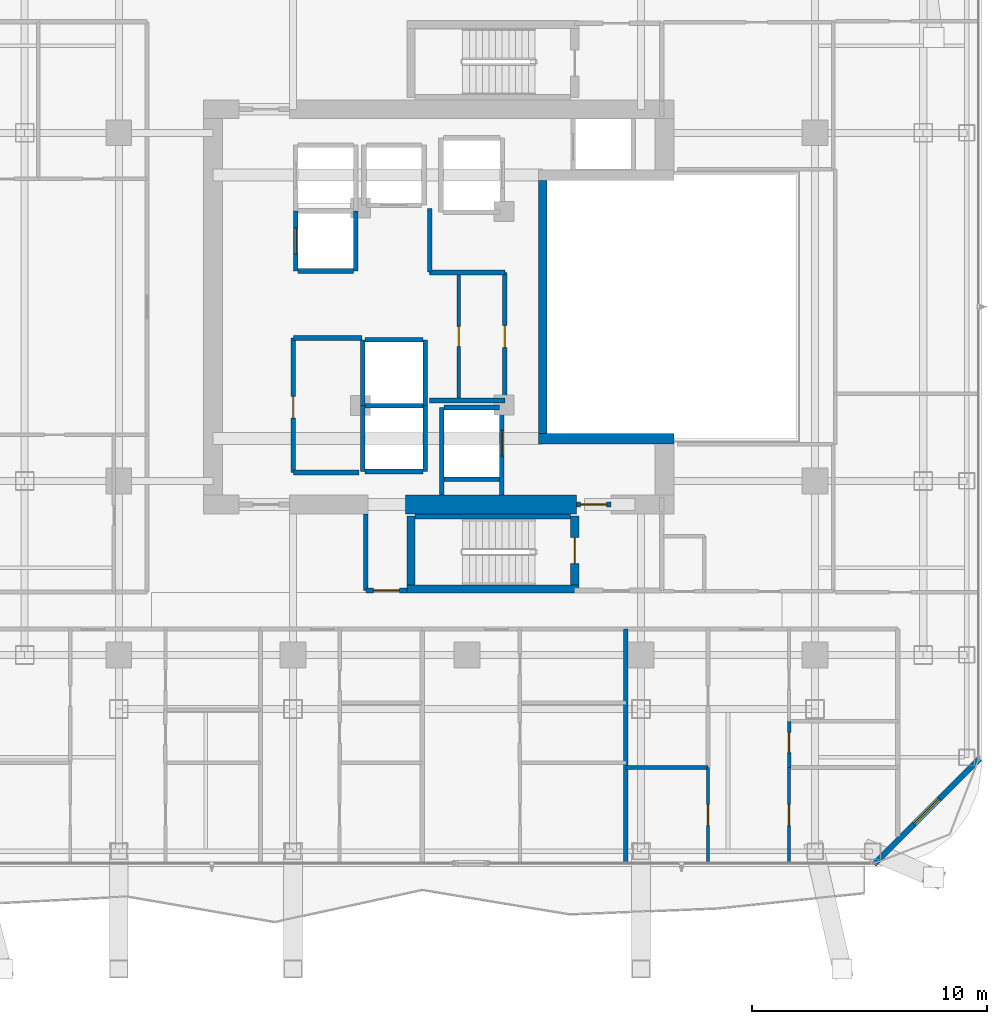
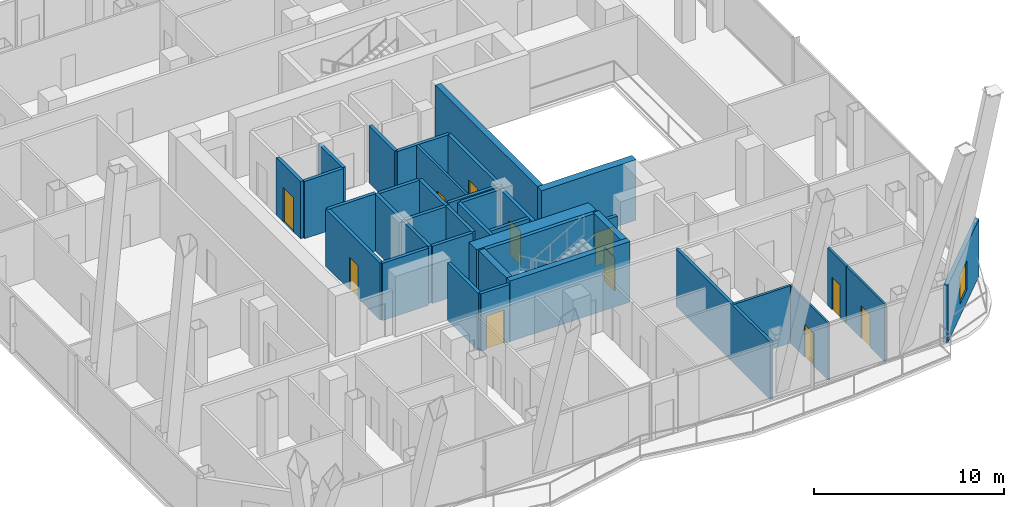
# One storey, part 24 of 34: 38 walls, 11 doors, 1 window, 12 openings.
"""IFC4 building model written with IfcOpenShell, lengths in metres."""

from ifc_helpers import new_model, si_unit, direction, frame, frame_2d, origin, place, context, subcontext, project, spatial, rectangle, extrude, material, layer, layer_set, type_object, element, fill, save


model = new_model("IFC4")

# Units and contexts
model_context = context("Model", 3, precision=1e-05, world=origin(), true_north=direction((0.0, 1.0)))
body_context = subcontext(model_context, "Body", "Model", "MODEL_VIEW")
ifc_project = project(units=[si_unit("LENGTHUNIT", "METRE"), si_unit("AREAUNIT", "SQUARE_METRE"), si_unit("VOLUMEUNIT", "CUBIC_METRE"), si_unit("PLANEANGLEUNIT", "RADIAN"), si_unit("MASSUNIT", "GRAM", prefix="KILO")], contexts=[model_context])

# Site, building, storey
site_placement = place(None, origin())
site = spatial("IfcSite", under=ifc_project, at=site_placement, CompositionType="ELEMENT")
building_placement = place(site_placement, origin())
building = spatial("IfcBuilding", under=site, at=building_placement, Name="Khorvyn Point Tower", CompositionType="ELEMENT")
storey_placement = place(building_placement, frame((0.0, 0.0, 175.800048828125)))
storey = spatial("IfcBuildingStorey", under=building, at=storey_placement, Name="L43", CompositionType="ELEMENT", Elevation=175.800048828125)

# Wall
ifc_material_1 = material(Name="Double acoustic gypsum on twin steel stud", Category="steel")
ifc_layer_1 = layer(ifc_material_1, 0.179931640625)
ifc_layer_set_1 = layer_set([ifc_layer_1], Name="Acoustic Double-Stud Apartment Demising Wall 180")
wall_type_1 = type_object("IfcWallType", Name="Acoustic Double-Stud Apartment Demising Wall 180", PredefinedType="PARTITIONING", material=ifc_layer_set_1)
wall_1_placement = place(storey_placement, frame((6.75390625, -23.6298828125, 0.0), z_axis=(0.0, 0.0, 1.0), x_axis=(0.0, 1.0, 0.0)))
element("IfcWall", 1, at=wall_1_placement, inside=storey, type_object=wall_type_1, Name="Wall", PredefinedType="PARTITIONING", context=body_context, shape_type="SweptSolid", body=[
    extrude(rectangle(XDim=9.929931640625, YDim=0.179931640625, at=frame_2d((4.96484375, 0.0))), origin(), (0.0, 0.0, 1.0), 3.679931640625),
])

# Wall, opening, window
ifc_material_2 = material(Name="Pale anodised aluminium rainscreen on steel stud", Category="steel")
ifc_layer_2 = layer(ifc_material_2, 0.239990234375)
ifc_layer_set_2 = layer_set([ifc_layer_2], Name="Anodised Aluminium Insulated Corner Spandrel Wall 240")
wall_type_2 = type_object("IfcWallType", Name="Anodised Aluminium Insulated Corner Spandrel Wall 240", PredefinedType="SOLIDWALL", material=ifc_layer_set_2)
wall_2_placement = place(storey_placement, frame((21.79248046875, -19.20751953125, 0.0), z_axis=(0.0, 0.0, 1.0), x_axis=(-0.707106781187, -0.707106781187, 0.0)))
wall_2 = element("IfcWall", 2, at=wall_2_placement, inside=storey, type_object=wall_type_2, Name="L43 Rounded Corner Wall SE", PredefinedType="SOLIDWALL", context=body_context, shape_type="SweptSolid", body=[
    extrude(rectangle(XDim=6.342529296875, YDim=0.239990234375, at=frame_2d((3.17138671875, 0.0))), origin(), (0.0, 0.0, 1.0), 3.679931640625),
])
opening_1_placement = place(wall_2_placement, frame((2.42138671875, 0.0, 0.800048828125)))
opening_1 = element("IfcOpeningElement", 3, at=opening_1_placement, cuts=wall_2, Name="Opening WN-1518", PredefinedType="OPENING", context=body_context, shape_type="SweptSolid", body=[
    extrude(rectangle(XDim=1.5, YDim=1.85009765625, at=frame_2d((0.75, 0.925048828125))), frame((0.0, 0.1298828125, 0.0), z_axis=(0.0, -1.0, 0.0), x_axis=(1.0, 0.0, 0.0)), (0.0, 0.0, 1.0), 0.260009765625),
])
ifc_material_3 = material(Name="Anodised aluminium 6063-T6 and laminated Low-E glass", Category="aluminium")
window_type = type_object("IfcWindowType", Name="Anodised Aluminium Rounded-Corner Panoramic Window 1500x1850", PartitioningType="SINGLE_PANEL", PredefinedType="WINDOW", material=ifc_material_3)
window_placement = place(opening_1_placement, origin())
window = element("IfcWindow", 4, at=window_placement, inside=storey, type_object=window_type, Name="L43 Corner Panoramic Window SE", OverallHeight=1.85009765625, OverallWidth=1.5, PartitioningType="SINGLE_PANEL", PredefinedType="WINDOW", context=body_context, shape_type="SweptSolid", body=[
    extrude(rectangle(XDim=1.5, YDim=1.85009765625, at=frame_2d((0.75, 0.925048828125))), frame((0.0, 0.030029296875, 0.0), z_axis=(0.0, -1.0, 0.0), x_axis=(1.0, 0.0, 0.0)), (0.0, 0.0, 1.0), 0.06005859375),
])
fill(opening_1, window)

# Wall
ifc_material_4 = material(Name="Concrete C40/50", Category="concrete")
ifc_layer_3 = layer(ifc_material_4, 0.449951171875)
ifc_layer_set_3 = layer_set([ifc_layer_3], Name="Concrete C40/50 Core Shear Wall 450")
wall_type_3 = type_object("IfcWallType", Name="Concrete C40/50 Core Shear Wall 450", PredefinedType="SHEAR", material=ifc_layer_set_3)
wall_3_placement = place(storey_placement, frame((3.044921875, -5.60009765625, 0.0), z_axis=(0.0, 0.0, 1.0), x_axis=(1.0, 0.0, 0.0)))
element("IfcWall", 5, at=wall_3_placement, inside=storey, type_object=wall_type_3, Name="Wall", PredefinedType="SHEAR", context=body_context, shape_type="SweptSolid", body=[
    extrude(rectangle(XDim=5.755126953125, YDim=0.449951171875, at=frame_2d((2.87744140625, 0.0))), origin(), (0.0, 0.0, 1.0), 3.89990234375),
])

# Wall, opening, door
ifc_layer_4 = layer(ifc_material_4, 0.199951171875)
ifc_layer_set_4 = layer_set([ifc_layer_4], Name="Concrete C40/50 Fire-Lobby Compartment Wall 200")
wall_type_4 = type_object("IfcWallType", Name="Concrete C40/50 Fire-Lobby Compartment Wall 200", PredefinedType="SOLIDWALL", material=ifc_layer_set_4)
wall_4_placement = place(storey_placement, frame((4.64990234375, -8.39990234375, 0.0), z_axis=(0.0, 0.0, 1.0), x_axis=(1.0, 0.0, 0.0)))
wall_4 = element("IfcWall", 6, at=wall_4_placement, inside=storey, type_object=wall_type_4, Name="Wall", PredefinedType="SOLIDWALL", context=body_context, shape_type="SweptSolid", body=[
    extrude(rectangle(XDim=1.47021484375, YDim=0.199951171875, at=frame_2d((0.735107421875, 0.0))), origin(), (0.0, 0.0, 1.0), 2.820068359375),
])
opening_2_placement = place(wall_4_placement, frame((0.18505859375, 0.0, 0.0)))
opening_2 = element("IfcOpeningElement", 7, at=opening_2_placement, cuts=wall_4, Name="Opening ID-FL90", PredefinedType="OPENING", context=body_context, shape_type="SweptSolid", body=[
    extrude(rectangle(XDim=1.10009765625, YDim=2.14990234375, at=frame_2d((0.550048828125, 1.074951171875))), frame((0.0, 0.10986328125, 0.0), z_axis=(0.0, -1.0, 0.0), x_axis=(1.0, 0.0, 0.0)), (0.0, 0.0, 1.0), 0.219970703125),
])
ifc_material_5 = material(Name="Galvanised powder-coated steel", Category="steel")
door_type_1 = type_object("IfcDoorType", Name="Fire-Rated Steel Lobby and Stair Door 1100x2150", OperationType="NOTDEFINED", PredefinedType="DOOR", material=ifc_material_5)
door_1_placement = place(opening_2_placement, origin())
door_1 = element("IfcDoor", 8, at=door_1_placement, inside=storey, type_object=door_type_1, Name="Door", OperationType="SINGLE_SWING_RIGHT", OverallHeight=2.14990234375, OverallWidth=1.10009765625, PredefinedType="DOOR", context=body_context, shape_type="SweptSolid", body=[
    extrude(rectangle(XDim=1.10009765625, YDim=2.14990234375, at=frame_2d((0.550048828125, 1.074951171875))), frame((0.0, 0.02490234375, 0.0), z_axis=(0.0, -1.0, 0.0), x_axis=(1.0, 0.0, 0.0)), (0.0, 0.0, 1.0), 0.050048828125),
])
fill(opening_2, door_1)

wall_5_placement = place(storey_placement, frame((-4.300048828125, -12.06005859375, 0.0), z_axis=(0.0, 0.0, 1.0), x_axis=(1.0, 0.0, 0.0)))
wall_5 = element("IfcWall", 9, at=wall_5_placement, inside=storey, type_object=wall_type_4, Name="Wall", PredefinedType="SOLIDWALL", context=body_context, shape_type="SweptSolid", body=[
    extrude(rectangle(XDim=1.75, YDim=0.199951171875, at=frame_2d((0.875, 0.0))), origin(), (0.0, 0.0, 1.0), 3.679931640625),
])
opening_3_placement = place(wall_5_placement, frame((0.324951171875, 0.0, 0.0)))
opening_3 = element("IfcOpeningElement", 10, at=opening_3_placement, cuts=wall_5, Name="Opening ID-FL90", PredefinedType="OPENING", context=body_context, shape_type="SweptSolid", body=[
    extrude(rectangle(XDim=1.10009765625, YDim=2.14990234375, at=frame_2d((0.550048828125, 1.074951171875))), frame((0.0, 0.10986328125, 0.0), z_axis=(0.0, -1.0, 0.0), x_axis=(1.0, 0.0, 0.0)), (0.0, 0.0, 1.0), 0.219970703125),
])
door_2_placement = place(opening_3_placement, origin())
door_2 = element("IfcDoor", 11, at=door_2_placement, inside=storey, type_object=door_type_1, Name="Door", OperationType="SINGLE_SWING_RIGHT", OverallHeight=2.14990234375, OverallWidth=1.10009765625, PredefinedType="DOOR", context=body_context, shape_type="SweptSolid", body=[
    extrude(rectangle(XDim=1.10009765625, YDim=2.14990234375, at=frame_2d((0.550048828125, 1.074951171875))), frame((0.0, 0.02490234375, 0.0), z_axis=(0.0, -1.0, 0.0), x_axis=(1.0, 0.0, 0.0)), (0.0, 0.0, 1.0), 0.050048828125),
])
fill(opening_3, door_2)

wall_6_placement = place(storey_placement, frame((1.610107421875, -3.97998046875, 0.0), z_axis=(0.0, 0.0, 1.0), x_axis=(0.0, 1.0, 0.0)))
wall_6 = element("IfcWall", 12, at=wall_6_placement, inside=storey, type_object=wall_type_4, Name="Wall", PredefinedType="SOLIDWALL", context=body_context, shape_type="SweptSolid", body=[
    extrude(rectangle(XDim=5.43994140625, YDim=0.199951171875, at=frame_2d((2.719970703125, 0.0))), origin(), (0.0, 0.0, 1.0), 3.679931640625),
])
opening_4_placement = place(wall_6_placement, frame((2.260009765625, 0.0, 0.0)))
opening_4 = element("IfcOpeningElement", 13, at=opening_4_placement, cuts=wall_6, Name="Opening ID-RS60", PredefinedType="OPENING", context=body_context, shape_type="SweptSolid", body=[
    extrude(rectangle(XDim=0.919921875, YDim=2.10009765625, at=frame_2d((0.4599609375, 1.050048828125))), frame((0.0, 0.10986328125, 0.0), z_axis=(0.0, -1.0, 0.0), x_axis=(1.0, 0.0, 0.0)), (0.0, 0.0, 1.0), 0.219970703125),
])
door_type_2 = type_object("IfcDoorType", Name="Fire-Rated Riser and Store Steel Door 920x2100", OperationType="NOTDEFINED", PredefinedType="DOOR", material=ifc_material_5)
door_3_placement = place(opening_4_placement, origin())
door_3 = element("IfcDoor", 14, at=door_3_placement, inside=storey, type_object=door_type_2, Name="Door", OperationType="SINGLE_SWING_RIGHT", OverallHeight=2.10009765625, OverallWidth=0.919921875, PredefinedType="DOOR", context=body_context, shape_type="SweptSolid", body=[
    extrude(rectangle(XDim=0.919921875, YDim=2.10009765625, at=frame_2d((0.4599609375, 1.050048828125))), frame((0.0, 0.02490234375, 0.0), z_axis=(0.0, -1.0, 0.0), x_axis=(1.0, 0.0, 0.0)), (0.0, 0.0, 1.0), 0.050048828125),
])
fill(opening_4, door_3)

wall_7_placement = place(storey_placement, frame((-7.3798828125, -7.0400390625, 0.0), z_axis=(0.0, 0.0, 1.0), x_axis=(0.0, 1.0, 0.0)))
wall_7 = element("IfcWall", 15, at=wall_7_placement, inside=storey, type_object=wall_type_4, Name="Wall", PredefinedType="SOLIDWALL", context=body_context, shape_type="SweptSolid", body=[
    extrude(rectangle(XDim=5.719970703125, YDim=0.199951171875, at=frame_2d((2.85986328125, 0.0))), origin(), (0.0, 0.0, 1.0), 3.679931640625),
])
opening_5_placement = place(wall_7_placement, frame((2.310302734375, 0.0, 0.0)))
opening_5 = element("IfcOpeningElement", 16, at=opening_5_placement, cuts=wall_7, Name="Opening ID-RS60", PredefinedType="OPENING", context=body_context, shape_type="SweptSolid", body=[
    extrude(rectangle(XDim=0.919921875, YDim=2.10009765625, at=frame_2d((0.4599609375, 1.050048828125))), frame((0.0, 0.10986328125, 0.0), z_axis=(0.0, -1.0, 0.0), x_axis=(1.0, 0.0, 0.0)), (0.0, 0.0, 1.0), 0.219970703125),
])
door_4_placement = place(opening_5_placement, origin())
door_4 = element("IfcDoor", 17, at=door_4_placement, inside=storey, type_object=door_type_2, Name="Door", OperationType="SINGLE_SWING_LEFT", OverallHeight=2.10009765625, OverallWidth=0.919921875, PredefinedType="DOOR", context=body_context, shape_type="SweptSolid", body=[
    extrude(rectangle(XDim=0.919921875, YDim=2.10009765625, at=frame_2d((0.4599609375, 1.050048828125))), frame((0.0, 0.02490234375, 0.0), z_axis=(0.0, -1.0, 0.0), x_axis=(1.0, 0.0, 0.0)), (0.0, 0.0, 1.0), 0.050048828125),
])
fill(opening_5, door_4)

# Walls
wall_8_placement = place(storey_placement, frame((-4.300048828125, -12.06005859375, 0.0), z_axis=(0.0, 0.0, 1.0), x_axis=(0.0, 1.0, 0.0)))
element("IfcWall", 18, at=wall_8_placement, inside=storey, type_object=wall_type_4, Name="Wall", PredefinedType="SOLIDWALL", context=body_context, shape_type="SweptSolid", body=[
    extrude(rectangle(XDim=3.260009765625, YDim=0.199951171875, at=frame_2d((1.6298828125, 0.0))), origin(), (0.0, 0.0, 1.0), 3.679931640625),
])
wall_9_placement = place(storey_placement, frame((-7.3798828125, -1.320068359375, 0.0), z_axis=(0.0, 0.0, 1.0), x_axis=(1.0, 0.0, 0.0)))
element("IfcWall", 19, at=wall_9_placement, inside=storey, type_object=wall_type_4, Name="Wall", PredefinedType="SOLIDWALL", context=body_context, shape_type="SweptSolid", body=[
    extrude(rectangle(XDim=2.909912109375, YDim=0.199951171875, at=frame_2d((1.455078125, 0.0))), origin(), (0.0, 0.0, 1.0), 3.679931640625),
])
wall_10_placement = place(storey_placement, frame((-1.580078125, 1.47998046875, 0.0), z_axis=(0.0, 0.0, 1.0), x_axis=(0.0, 1.0, 0.0)))
element("IfcWall", 20, at=wall_10_placement, inside=storey, type_object=wall_type_4, Name="Wall", PredefinedType="SOLIDWALL", context=body_context, shape_type="SweptSolid", body=[
    extrude(rectangle(XDim=2.699951171875, YDim=0.199951171875, at=frame_2d((1.35009765625, 0.0))), origin(), (0.0, 0.0, 1.0), 3.679931640625),
])
for number, where, z_axis, x_axis, name in (
    (21, (-1.580078125, -3.97998046875, 0.0), (0.0, 0.0, 1.0), (1.0, 0.0, 0.0), "Wall"),
    (22, (-1.580078125, 1.4599609375, 0.0), (0.0, 0.0, 1.0), (1.0, 0.0, 0.0), "Wall"),
):
    element("IfcWall", number, at=place(storey_placement, frame(where, z_axis=z_axis, x_axis=x_axis)), inside=storey, type_object=wall_type_4, Name=name, PredefinedType="SOLIDWALL", context=body_context, shape_type="SweptSolid", body=[
        extrude(rectangle(XDim=3.190185546875, YDim=0.199951171875, at=frame_2d((1.59521484375, 0.0))), origin(), (0.0, 0.0, 1.0), 3.679931640625),
    ])
wall_11_placement = place(storey_placement, frame((-7.3798828125, -7.0400390625, 0.0), z_axis=(0.0, 0.0, 1.0), x_axis=(1.0, 0.0, 0.0)))
element("IfcWall", 23, at=wall_11_placement, inside=storey, type_object=wall_type_4, Name="Wall", PredefinedType="SOLIDWALL", context=body_context, shape_type="SweptSolid", body=[
    extrude(rectangle(XDim=2.7998046875, YDim=0.199951171875, at=frame_2d((1.39990234375, 0.0))), origin(), (0.0, 0.0, 1.0), 3.679931640625),
])
ifc_layer_5 = layer(ifc_material_4, 0.25)
ifc_layer_set_5 = layer_set([ifc_layer_5], Name="Concrete C40/50 Stair Inner Cheek Structural Wall 250")
wall_type_5 = type_object("IfcWallType", Name="Concrete C40/50 Stair Inner Cheek Structural Wall 250", PredefinedType="SHEAR", material=ifc_layer_set_5)
wall_12_placement = place(storey_placement, frame((-2.199951171875, -8.91259765625, 0.0), z_axis=(0.0, 0.0, 1.0), x_axis=(1.0, 0.0, 0.0)))
element("IfcWall", 24, at=wall_12_placement, inside=storey, type_object=wall_type_5, Name="Wall", PredefinedType="SHEAR", context=body_context, shape_type="SweptSolid", body=[
    extrude(rectangle(XDim=6.599853515625, YDim=0.22509765625, at=frame_2d((3.2998046875, 0.0))), origin(), (0.0, 0.0, 1.0), 3.89990234375),
])
ifc_layer_6 = layer(ifc_material_4, 0.35009765625)
ifc_layer_set_6 = layer_set([ifc_layer_6], Name="Concrete C40/50 Stair Shaft Structural Wall 350")
wall_type_6 = type_object("IfcWallType", Name="Concrete C40/50 Stair Shaft Structural Wall 350", PredefinedType="SHEAR", material=ifc_layer_set_6)
wall_13_placement = place(storey_placement, frame((3.219970703125, -5.375, 0.0), z_axis=(0.0, 0.0, 1.0), x_axis=(0.0, 1.0, 0.0)))
element("IfcWall", 25, at=wall_13_placement, inside=storey, type_object=wall_type_6, Name="Wall", PredefinedType="SHEAR", context=body_context, shape_type="SweptSolid", body=[
    extrude(rectangle(XDim=10.75, YDim=0.35009765625, at=frame_2d((5.375, 0.0))), origin(), (0.0, 0.0, 1.0), 3.89990234375),
])
wall_14_placement = place(storey_placement, frame((-2.554931640625, -12.0, 0.0), z_axis=(0.0, 0.0, 1.0), x_axis=(1.0, 0.0, 0.0)))
element("IfcWall", 26, at=wall_14_placement, inside=storey, type_object=wall_type_6, Name="L43 ST-01 South Shaft Wall", PredefinedType="SHEAR", context=body_context, shape_type="SweptSolid", body=[
    extrude(rectangle(XDim=7.309814453125, YDim=0.35009765625, at=frame_2d((3.65478515625, 0.0))), origin(), (0.0, 0.0, 1.0), 3.89990234375),
])
wall_15_placement = place(storey_placement, frame((-2.3798828125, -11.824951171875, 0.0), z_axis=(0.0, 0.0, 1.0), x_axis=(0.0, 1.0, 0.0)))
element("IfcWall", 27, at=wall_15_placement, inside=storey, type_object=wall_type_6, Name="L43 ST-01 West Shaft Wall", PredefinedType="SHEAR", context=body_context, shape_type="SweptSolid", body=[
    extrude(rectangle(XDim=2.925048828125, YDim=0.35009765625, at=frame_2d((1.46240234375, 0.0))), origin(), (0.0, 0.0, 1.0), 3.89990234375),
])

# Wall, opening, door
wall_16_placement = place(storey_placement, frame((4.580078125, -8.89990234375, 0.0), z_axis=(0.0, 0.0, 1.0), x_axis=(0.0, -1.0, 0.0)))
wall_16 = element("IfcWall", 28, at=wall_16_placement, inside=storey, type_object=wall_type_6, Name="L43 ST-01 East Landing Door Wall", PredefinedType="SHEAR", context=body_context, shape_type="SweptSolid", body=[
    extrude(rectangle(XDim=2.925048828125, YDim=0.35009765625, at=frame_2d((1.46240234375, 0.0))), origin(), (0.0, 0.0, 1.0), 3.89990234375),
])
opening_6_placement = place(wall_16_placement, frame((0.91259765625, 0.0, 0.0)))
opening_6 = element("IfcOpeningElement", 29, at=opening_6_placement, cuts=wall_16, Name="Opening ID-FL90", PredefinedType="OPENING", context=body_context, shape_type="SweptSolid", body=[
    extrude(rectangle(XDim=1.10009765625, YDim=2.14990234375, at=frame_2d((0.550048828125, 1.074951171875))), frame((0.0, 0.18505859375, 0.0), z_axis=(0.0, -1.0, 0.0), x_axis=(1.0, 0.0, 0.0)), (0.0, 0.0, 1.0), 0.3701171875),
])
door_5_placement = place(opening_6_placement, origin())
door_5 = element("IfcDoor", 30, at=door_5_placement, inside=storey, type_object=door_type_1, Name="L43 ST-01 Smokeproof Landing Door", OperationType="SINGLE_SWING_LEFT", OverallHeight=2.14990234375, OverallWidth=1.10009765625, PredefinedType="DOOR", context=body_context, shape_type="SweptSolid", body=[
    extrude(rectangle(XDim=1.10009765625, YDim=2.14990234375, at=frame_2d((0.550048828125, 1.074951171875))), frame((0.0, 0.02490234375, 0.0), z_axis=(0.0, -1.0, 0.0), x_axis=(1.0, 0.0, 0.0)), (0.0, 0.0, 1.0), 0.050048828125),
])
fill(opening_6, door_5)

ifc_layer_7 = layer(ifc_material_4, 0.199951171875)
ifc_layer_set_7 = layer_set([ifc_layer_7], Name="Concrete C40/50 Structural Hoistway and Stair Shaft Wall 200")
wall_type_7 = type_object("IfcWallType", Name="Concrete C40/50 Structural Hoistway and Stair Shaft Wall 200", PredefinedType="SHEAR", material=ifc_layer_set_7)
wall_17_placement = place(storey_placement, frame((-7.27490234375, 1.52490234375, 0.0), z_axis=(0.0, 0.0, 1.0), x_axis=(0.0, 1.0, 0.0)))
wall_17 = element("IfcWall", 31, at=wall_17_placement, inside=storey, type_object=wall_type_7, Name="Wall", PredefinedType="SHEAR", context=body_context, shape_type="SweptSolid", body=[
    extrude(rectangle(XDim=2.550048828125, YDim=0.199951171875, at=frame_2d((1.27490234375, 0.0))), origin(), (0.0, 0.0, 1.0), 3.679931640625),
])
opening_7_placement = place(wall_17_placement, frame((0.72509765625, 0.0, 0.0)))
opening_7 = element("IfcOpeningElement", 32, at=opening_7_placement, cuts=wall_17, Name="Opening LD-1122", PredefinedType="OPENING", context=body_context, shape_type="SweptSolid", body=[
    extrude(rectangle(XDim=1.10009765625, YDim=2.199951171875, at=frame_2d((0.550048828125, 1.10009765625))), frame((0.0, 0.10986328125, 0.0), z_axis=(0.0, -1.0, 0.0), x_axis=(1.0, 0.0, 0.0)), (0.0, 0.0, 1.0), 0.219970703125),
])
ifc_material_6 = material(Name="Stainless steel 1.4301", Category="steel")
door_type_3 = type_object("IfcDoorType", Name="Stainless Steel Automatic Sliding Lift Landing Door 1100x2200", OperationType="SLIDING_TO_LEFT", PredefinedType="DOOR", material=ifc_material_6)
door_6_placement = place(opening_7_placement, origin())
door_6 = element("IfcDoor", 33, at=door_6_placement, inside=storey, type_object=door_type_3, Name="L43 RM-01 Sliding Lift Landing Door", OperationType="SLIDING_TO_LEFT", OverallHeight=2.199951171875, OverallWidth=1.10009765625, PredefinedType="DOOR", context=body_context, shape_type="SweptSolid", body=[
    extrude(rectangle(XDim=1.10009765625, YDim=2.199951171875, at=frame_2d((0.550048828125, 1.10009765625))), frame((0.0, 0.02490234375, 0.0), z_axis=(0.0, -1.0, 0.0), x_axis=(1.0, 0.0, 0.0)), (0.0, 0.0, 1.0), 0.050048828125),
])
fill(opening_7, door_6)

# Walls
wall_18_placement = place(storey_placement, frame((-4.72509765625, 1.52490234375, 0.0), z_axis=(0.0, 0.0, 1.0), x_axis=(0.0, 1.0, 0.0)))
element("IfcWall", 34, at=wall_18_placement, inside=storey, type_object=wall_type_7, Name="Wall", PredefinedType="SHEAR", context=body_context, shape_type="SweptSolid", body=[
    extrude(rectangle(XDim=2.550048828125, YDim=0.199951171875, at=frame_2d((1.27490234375, 0.0))), origin(), (0.0, 0.0, 1.0), 3.679931640625),
])
wall_19_placement = place(storey_placement, frame((-7.175048828125, 1.52490234375, 0.0), z_axis=(0.0, 0.0, 1.0), x_axis=(1.0, 0.0, 0.0)))
element("IfcWall", 35, at=wall_19_placement, inside=storey, type_object=wall_type_7, Name="Wall", PredefinedType="SHEAR", context=body_context, shape_type="SweptSolid", body=[
    extrude(rectangle(XDim=2.35009765625, YDim=0.199951171875, at=frame_2d((1.175048828125, 0.0))), origin(), (0.0, 0.0, 1.0), 3.679931640625),
])
for number, where, z_axis, x_axis, name in (
    (36, (-4.425048828125, -7.0, 0.0), (0.0, 0.0, 1.0), (0.0, 1.0, 0.0), "Wall"),
    (37, (-1.77490234375, -7.0, 0.0), (0.0, 0.0, 1.0), (0.0, 1.0, 0.0), "Wall"),
):
    element("IfcWall", number, at=place(storey_placement, frame(where, z_axis=z_axis, x_axis=x_axis)), inside=storey, type_object=wall_type_7, Name=name, PredefinedType="SHEAR", context=body_context, shape_type="SweptSolid", body=[
        extrude(rectangle(XDim=2.800048828125, YDim=0.199951171875, at=frame_2d((1.39990234375, 0.0))), origin(), (0.0, 0.0, 1.0), 3.679931640625),
    ])
for number, where, z_axis, x_axis, name in (
    (38, (-4.324951171875, -7.0, 0.0), (0.0, 0.0, 1.0), (1.0, 0.0, 0.0), "Wall"),
    (39, (-4.324951171875, -4.199951171875, 0.0), (0.0, 0.0, 1.0), (1.0, 0.0, 0.0), "Wall"),
):
    element("IfcWall", number, at=place(storey_placement, frame(where, z_axis=z_axis, x_axis=x_axis)), inside=storey, type_object=wall_type_7, Name=name, PredefinedType="SHEAR", context=body_context, shape_type="SweptSolid", body=[
        extrude(rectangle(XDim=2.449951171875, YDim=0.199951171875, at=frame_2d((1.22509765625, 0.0))), origin(), (0.0, 0.0, 1.0), 3.679931640625),
    ])
for number, where, z_axis, x_axis, name in (
    (40, (-4.425048828125, -4.199951171875, 0.0), (0.0, 0.0, 1.0), (0.0, 1.0, 0.0), "Wall"),
    (41, (-1.77490234375, -4.199951171875, 0.0), (0.0, 0.0, 1.0), (0.0, 1.0, 0.0), "Wall"),
):
    element("IfcWall", number, at=place(storey_placement, frame(where, z_axis=z_axis, x_axis=x_axis)), inside=storey, type_object=wall_type_7, Name=name, PredefinedType="SHEAR", context=body_context, shape_type="SweptSolid", body=[
        extrude(rectangle(XDim=2.800048828125, YDim=0.199951171875, at=frame_2d((1.39990234375, 0.0))), origin(), (0.0, 0.0, 1.0), 3.679931640625),
    ])
wall_20_placement = place(storey_placement, frame((-4.324951171875, -1.39990234375, 0.0), z_axis=(0.0, 0.0, 1.0), x_axis=(1.0, 0.0, 0.0)))
element("IfcWall", 42, at=wall_20_placement, inside=storey, type_object=wall_type_7, Name="Wall", PredefinedType="SHEAR", context=body_context, shape_type="SweptSolid", body=[
    extrude(rectangle(XDim=2.449951171875, YDim=0.199951171875, at=frame_2d((1.22509765625, 0.0))), origin(), (0.0, 0.0, 1.0), 3.679931640625),
])
wall_21_placement = place(storey_placement, frame((-1.074951171875, -8.0, 0.0), z_axis=(0.0, 0.0, 1.0), x_axis=(0.0, 1.0, 0.0)))
element("IfcWall", 43, at=wall_21_placement, inside=storey, type_object=wall_type_7, Name="Wall", PredefinedType="SHEAR", context=body_context, shape_type="SweptSolid", body=[
    extrude(rectangle(XDim=3.72509765625, YDim=0.199951171875, at=frame_2d((1.862548828125, 0.0))), origin(), (0.0, 0.0, 1.0), 3.679931640625),
])

# Wall, opening, door
wall_22_placement = place(storey_placement, frame((1.47509765625, -8.0, 0.0), z_axis=(0.0, 0.0, 1.0), x_axis=(0.0, 1.0, 0.0)))
wall_22 = element("IfcWall", 44, at=wall_22_placement, inside=storey, type_object=wall_type_7, Name="Wall", PredefinedType="SHEAR", context=body_context, shape_type="SweptSolid", body=[
    extrude(rectangle(XDim=3.72509765625, YDim=0.199951171875, at=frame_2d((1.862548828125, 0.0))), origin(), (0.0, 0.0, 1.0), 3.679931640625),
])
opening_8_placement = place(wall_22_placement, frame((1.64990234375, 0.0, 0.0)))
opening_8 = element("IfcOpeningElement", 45, at=opening_8_placement, cuts=wall_22, Name="Opening LD-1122", PredefinedType="OPENING", context=body_context, shape_type="SweptSolid", body=[
    extrude(rectangle(XDim=1.10009765625, YDim=2.199951171875, at=frame_2d((0.550048828125, 1.10009765625))), frame((0.0, 0.10986328125, 0.0), z_axis=(0.0, -1.0, 0.0), x_axis=(1.0, 0.0, 0.0)), (0.0, 0.0, 1.0), 0.219970703125),
])
door_7_placement = place(opening_8_placement, origin())
door_7 = element("IfcDoor", 46, at=door_7_placement, inside=storey, type_object=door_type_3, Name="L43 FF-01 Sliding Lift Landing Door", OperationType="SLIDING_TO_LEFT", OverallHeight=2.199951171875, OverallWidth=1.10009765625, PredefinedType="DOOR", context=body_context, shape_type="SweptSolid", body=[
    extrude(rectangle(XDim=1.10009765625, YDim=2.199951171875, at=frame_2d((0.550048828125, 1.10009765625))), frame((0.0, 0.02490234375, 0.0), z_axis=(0.0, -1.0, 0.0), x_axis=(1.0, 0.0, 0.0)), (0.0, 0.0, 1.0), 0.050048828125),
])
fill(opening_8, door_7)

# Walls
for number, where, z_axis, x_axis, name in (
    (47, (-0.97509765625, -7.324951171875, 0.0), (0.0, 0.0, 1.0), (1.0, 0.0, 0.0), "Wall"),
    (48, (-0.97509765625, -4.27490234375, 0.0), (0.0, 0.0, 1.0), (1.0, 0.0, 0.0), "Wall"),
):
    element("IfcWall", number, at=place(storey_placement, frame(where, z_axis=z_axis, x_axis=x_axis)), inside=storey, type_object=wall_type_7, Name=name, PredefinedType="SHEAR", context=body_context, shape_type="SweptSolid", body=[
        extrude(rectangle(XDim=2.35009765625, YDim=0.199951171875, at=frame_2d((1.175048828125, 0.0))), origin(), (0.0, 0.0, 1.0), 3.679931640625),
    ])
ifc_material_7 = material(Name="Concrete C45/55", Category="concrete")
ifc_layer_8 = layer(ifc_material_7, 0.800048828125)
ifc_layer_set_8 = layer_set([ifc_layer_8], Name="Concrete C45/55 Core Shear Wall 800")
wall_type_8 = type_object("IfcWallType", Name="Concrete C45/55 Core Shear Wall 800", PredefinedType="SHEAR", material=ifc_layer_set_8)
wall_23_placement = place(storey_placement, frame((-2.6201171875, -8.39990234375, 0.0), z_axis=(0.0, 0.0, 1.0), x_axis=(1.0, 0.0, 0.0)))
element("IfcWall", 49, at=wall_23_placement, inside=storey, type_object=wall_type_8, Name="Wall", PredefinedType="SHEAR", context=body_context, shape_type="SweptSolid", body=[
    extrude(rectangle(XDim=7.27001953125, YDim=0.800048828125, at=frame_2d((3.635009765625, 0.0))), origin(), (0.0, 0.0, 1.0), 3.89990234375),
])

# Wall, opening, door
ifc_material_8 = material(Name="Gypsum plasterboard on steel stud", Category="steel")
ifc_layer_9 = layer(ifc_material_8, 0.1201171875)
ifc_layer_set_9 = layer_set([ifc_layer_9], Name="Gypsum Acoustic Stud Room Partition Wall 120")
wall_type_9 = type_object("IfcWallType", Name="Gypsum Acoustic Stud Room Partition Wall 120", PredefinedType="PARTITIONING", material=ifc_layer_set_9)
wall_24_placement = place(storey_placement, frame((10.25, -23.6298828125, 0.0), z_axis=(0.0, 0.0, 1.0), x_axis=(0.0, 1.0, 0.0)))
wall_24 = element("IfcWall", 50, at=wall_24_placement, inside=storey, type_object=wall_type_9, Name="Wall", PredefinedType="PARTITIONING", context=body_context, shape_type="SweptSolid", body=[
    extrude(rectangle(XDim=4.0458984375, YDim=0.1201171875, at=frame_2d((2.02294921875, 0.0))), origin(), (0.0, 0.0, 1.0), 3.679931640625),
])
opening_9_placement = place(wall_24_placement, frame((1.572998046875, 0.0, 0.0)))
opening_9 = element("IfcOpeningElement", 51, at=opening_9_placement, cuts=wall_24, Name="Opening ID-RM90", PredefinedType="OPENING", context=body_context, shape_type="SweptSolid", body=[
    extrude(rectangle(XDim=0.89990234375, YDim=2.10009765625, at=frame_2d((0.449951171875, 1.050048828125))), frame((0.0, 0.070068359375, 0.0), z_axis=(0.0, -1.0, 0.0), x_axis=(1.0, 0.0, 0.0)), (0.0, 0.0, 1.0), 0.14013671875),
])
ifc_material_9 = material(Name="Engineered oak veneer timber", Category="wood")
door_type_4 = type_object("IfcDoorType", Name="Flush Engineered Timber Room Door 900x2100", OperationType="NOTDEFINED", PredefinedType="DOOR", material=ifc_material_9)
door_8_placement = place(opening_9_placement, origin())
door_8 = element("IfcDoor", 52, at=door_8_placement, inside=storey, type_object=door_type_4, Name="Door", OperationType="SINGLE_SWING_RIGHT", OverallHeight=2.10009765625, OverallWidth=0.89990234375, PredefinedType="DOOR", context=body_context, shape_type="SweptSolid", body=[
    extrude(rectangle(XDim=0.89990234375, YDim=2.10009765625, at=frame_2d((0.449951171875, 1.050048828125))), frame((0.0, 0.02490234375, 0.0), z_axis=(0.0, -1.0, 0.0), x_axis=(1.0, 0.0, 0.0)), (0.0, 0.0, 1.0), 0.050048828125),
])
fill(opening_9, door_8)

wall_25_placement = place(storey_placement, frame((13.694091796875, -23.6298828125, 0.0), z_axis=(0.0, 0.0, 1.0), x_axis=(0.0, 1.0, 0.0)))
wall_25 = element("IfcWall", 53, at=wall_25_placement, inside=storey, type_object=wall_type_9, Name="Wall", PredefinedType="PARTITIONING", context=body_context, shape_type="SweptSolid", body=[
    extrude(rectangle(XDim=4.0458984375, YDim=0.1201171875, at=frame_2d((2.02294921875, 0.0))), origin(), (0.0, 0.0, 1.0), 3.679931640625),
])
opening_10_placement = place(wall_25_placement, frame((1.572998046875, 0.0, 0.0)))
opening_10 = element("IfcOpeningElement", 54, at=opening_10_placement, cuts=wall_25, Name="Opening ID-RM90", PredefinedType="OPENING", context=body_context, shape_type="SweptSolid", body=[
    extrude(rectangle(XDim=0.89990234375, YDim=2.10009765625, at=frame_2d((0.449951171875, 1.050048828125))), frame((0.0, 0.070068359375, 0.0), z_axis=(0.0, -1.0, 0.0), x_axis=(1.0, 0.0, 0.0)), (0.0, 0.0, 1.0), 0.14013671875),
])
door_9_placement = place(opening_10_placement, origin())
door_9 = element("IfcDoor", 55, at=door_9_placement, inside=storey, type_object=door_type_4, Name="Door", OperationType="SINGLE_SWING_LEFT", OverallHeight=2.10009765625, OverallWidth=0.89990234375, PredefinedType="DOOR", context=body_context, shape_type="SweptSolid", body=[
    extrude(rectangle(XDim=0.89990234375, YDim=2.10009765625, at=frame_2d((0.449951171875, 1.050048828125))), frame((0.0, 0.02490234375, 0.0), z_axis=(0.0, -1.0, 0.0), x_axis=(1.0, 0.0, 0.0)), (0.0, 0.0, 1.0), 0.050048828125),
])
fill(opening_10, door_9)

ifc_material_10 = material(Name="Moisture-resistant gypsum and cement board", Category="gypsum")
ifc_layer_10 = layer(ifc_material_10, 0.14990234375)
ifc_layer_set_10 = layer_set([ifc_layer_10], Name="Moisture-Resistant Wet-Room Partition Wall 150")
wall_type_10 = type_object("IfcWallType", Name="Moisture-Resistant Wet-Room Partition Wall 150", PredefinedType="PARTITIONING", material=ifc_layer_set_10)
wall_26_placement = place(storey_placement, frame((-0.35009765625, -3.97998046875, 0.0), z_axis=(0.0, 0.0, 1.0), x_axis=(0.0, 1.0, 0.0)))
wall_26 = element("IfcWall", 56, at=wall_26_placement, inside=storey, type_object=wall_type_10, Name="Wall", PredefinedType="PARTITIONING", context=body_context, shape_type="SweptSolid", body=[
    extrude(rectangle(XDim=5.43994140625, YDim=0.14990234375, at=frame_2d((2.719970703125, 0.0))), origin(), (0.0, 0.0, 1.0), 3.679931640625),
])
opening_11_placement = place(wall_26_placement, frame((2.294921875, 0.0, 0.0)))
opening_11 = element("IfcOpeningElement", 57, at=opening_11_placement, cuts=wall_26, Name="Opening ID-WC85", PredefinedType="OPENING", context=body_context, shape_type="SweptSolid", body=[
    extrude(rectangle(XDim=0.85009765625, YDim=2.10009765625, at=frame_2d((0.425048828125, 1.050048828125))), frame((0.0, 0.0849609375, 0.0), z_axis=(0.0, -1.0, 0.0), x_axis=(1.0, 0.0, 0.0)), (0.0, 0.0, 1.0), 0.169921875),
])
ifc_material_11 = material(Name="High-pressure laminate on moisture-resistant core", Category="wood")
door_type_5 = type_object("IfcDoorType", Name="Moisture-Resistant Accessible Washroom Door 850x2100", OperationType="NOTDEFINED", PredefinedType="DOOR", material=ifc_material_11)
door_10_placement = place(opening_11_placement, origin())
door_10 = element("IfcDoor", 58, at=door_10_placement, inside=storey, type_object=door_type_5, Name="Door", OperationType="SINGLE_SWING_LEFT", OverallHeight=2.10009765625, OverallWidth=0.85009765625, PredefinedType="DOOR", context=body_context, shape_type="SweptSolid", body=[
    extrude(rectangle(XDim=0.85009765625, YDim=2.10009765625, at=frame_2d((0.425048828125, 1.050048828125))), frame((0.0, 0.02490234375, 0.0), z_axis=(0.0, -1.0, 0.0), x_axis=(1.0, 0.0, 0.0)), (0.0, 0.0, 1.0), 0.050048828125),
])
fill(opening_11, door_10)

wall_27_placement = place(storey_placement, frame((13.694091796875, -19.583984375, 0.0), z_axis=(0.0, 0.0, 1.0), x_axis=(0.0, 1.0, 0.0)))
wall_27 = element("IfcWall", 59, at=wall_27_placement, inside=storey, type_object=wall_type_10, Name="Wall", PredefinedType="PARTITIONING", context=body_context, shape_type="SweptSolid", body=[
    extrude(rectangle(XDim=1.965087890625, YDim=0.14990234375, at=frame_2d((0.982421875, 0.0))), origin(), (0.0, 0.0, 1.0), 3.679931640625),
])
opening_12_placement = place(wall_27_placement, frame((0.636962890625, 0.0, 0.0)))
opening_12 = element("IfcOpeningElement", 60, at=opening_12_placement, cuts=wall_27, Name="Opening ID-WC85", PredefinedType="OPENING", context=body_context, shape_type="SweptSolid", body=[
    extrude(rectangle(XDim=0.85009765625, YDim=2.10009765625, at=frame_2d((0.425048828125, 1.050048828125))), frame((0.0, 0.0849609375, 0.0), z_axis=(0.0, -1.0, 0.0), x_axis=(1.0, 0.0, 0.0)), (0.0, 0.0, 1.0), 0.169921875),
])
door_11_placement = place(opening_12_placement, origin())
door_11 = element("IfcDoor", 61, at=door_11_placement, inside=storey, type_object=door_type_5, Name="Door", OperationType="SINGLE_SWING_LEFT", OverallHeight=2.10009765625, OverallWidth=0.85009765625, PredefinedType="DOOR", context=body_context, shape_type="SweptSolid", body=[
    extrude(rectangle(XDim=0.85009765625, YDim=2.10009765625, at=frame_2d((0.425048828125, 1.050048828125))), frame((0.0, 0.02490234375, 0.0), z_axis=(0.0, -1.0, 0.0), x_axis=(1.0, 0.0, 0.0)), (0.0, 0.0, 1.0), 0.050048828125),
])
fill(opening_12, door_11)

# Wall
wall_28_placement = place(storey_placement, frame((6.75390625, -19.583984375, 0.0), z_axis=(0.0, 0.0, 1.0), x_axis=(1.0, 0.0, 0.0)))
element("IfcWall", 62, at=wall_28_placement, inside=storey, type_object=wall_type_10, Name="Wall", PredefinedType="PARTITIONING", context=body_context, shape_type="SweptSolid", body=[
    extrude(rectangle(XDim=3.49609375, YDim=0.14990234375, at=frame_2d((1.748046875, 0.0))), origin(), (0.0, 0.0, 1.0), 3.679931640625),
])

save(model, "model.ifc")
